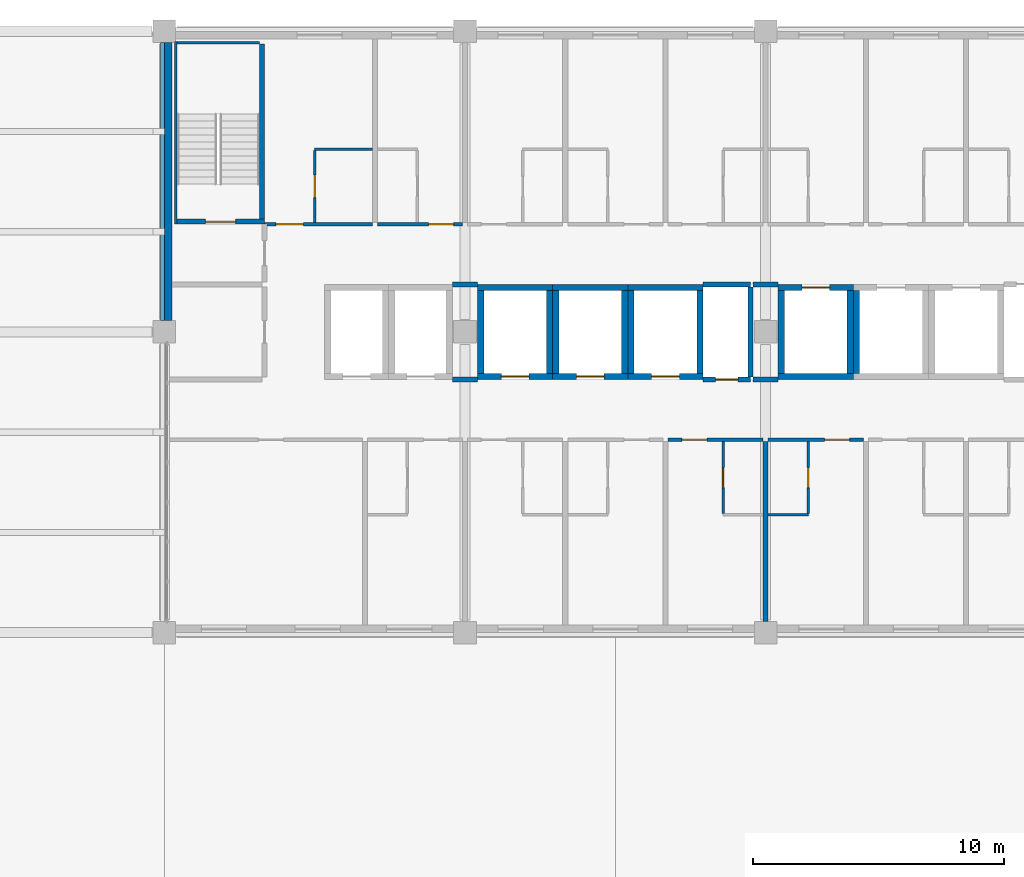
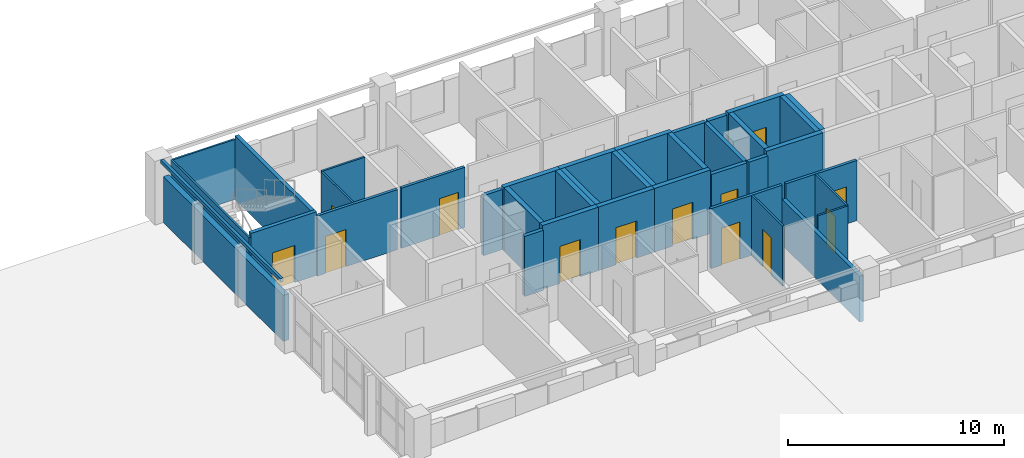
# One storey, part 88 of 94: 40 walls, 13 doors, 13 openings.
"""IFC4 building model written with IfcOpenShell, lengths in metres."""

from ifc_helpers import new_model, si_unit, direction, frame, frame_2d, origin, place, context, subcontext, project, spatial, rectangle, extrude, material, layer, layer_set, type_object, element, fill, save


model = new_model("IFC4")

# Units and contexts
model_context = context("Model", 3, precision=1e-05, world=origin(), true_north=direction((0.0, 1.0)))
body_context = subcontext(model_context, "Body", "Model", "MODEL_VIEW")
ifc_project = project(units=[si_unit("LENGTHUNIT", "METRE"), si_unit("AREAUNIT", "SQUARE_METRE"), si_unit("VOLUMEUNIT", "CUBIC_METRE"), si_unit("PLANEANGLEUNIT", "RADIAN"), si_unit("MASSUNIT", "GRAM", prefix="KILO")], contexts=[model_context])

# Site, building, storey
site_placement = place(None, origin())
site = spatial("IfcSite", under=ifc_project, at=site_placement, CompositionType="ELEMENT")
building_placement = place(site_placement, origin())
building = spatial("IfcBuilding", under=site, at=building_placement, Name="Lilac Gate Convention Centre", CompositionType="ELEMENT")
storey_placement = place(building_placement, frame((0.0, 0.0, 21.0)))
storey = spatial("IfcBuildingStorey", under=building, at=storey_placement, Name="L04", CompositionType="ELEMENT", Elevation=21.0)

# Walls
ifc_material_1 = material(Name="Concrete C60", Category="concrete")
ifc_layer_1 = layer(ifc_material_1, 0.10009765625)
ifc_layer_set_1 = layer_set([ifc_layer_1], Name="Concrete C60")
wall_type_1 = type_object("IfcWallType", Name="Core wall 100 C60", PredefinedType="SHEAR", material=ifc_layer_set_1)
wall_1_placement = place(storey_placement, frame((42.449951171875, 238.300048828125, 0.0), z_axis=(0.0, 0.0, 1.0), x_axis=(0.0, 1.0, 0.0)))
element("IfcWall", 1, at=wall_1_placement, inside=storey, type_object=wall_type_1, Name="CRW8 core wall TS-WX L04 1", PredefinedType="SHEAR", context=body_context, shape_type="SweptSolid", body=[
    extrude(rectangle(XDim=7.300048828125, YDim=0.10009765625, at=frame_2d((3.64990234375, 0.0))), origin(), (0.0, 0.0, 1.0), 3.39990234375),
])
wall_2_placement = place(storey_placement, frame((42.5, 245.550048828125, 0.0), z_axis=(0.0, 0.0, 1.0), x_axis=(1.0, 0.0, 0.0)))
element("IfcWall", 2, at=wall_2_placement, inside=storey, type_object=wall_type_1, Name="CRW8 core wall TS-WX L04 2", PredefinedType="SHEAR", context=body_context, shape_type="SweptSolid", body=[
    extrude(rectangle(XDim=3.300048828125, YDim=0.10009765625, at=frame_2d((1.64990234375, 0.0))), origin(), (0.0, 0.0, 1.0), 3.39990234375),
])

# Wall, opening, door
ifc_layer_2 = layer(ifc_material_1, 0.199951171875)
ifc_layer_set_2 = layer_set([ifc_layer_2], Name="Concrete C60")
wall_type_2 = type_object("IfcWallType", Name="Core wall 200 C60", PredefinedType="SHEAR", material=ifc_layer_set_2)
wall_3_placement = place(storey_placement, frame((42.5, 238.39990234375, 0.0), z_axis=(0.0, 0.0, 1.0), x_axis=(1.0, 0.0, 0.0)))
wall_3 = element("IfcWall", 3, at=wall_3_placement, inside=storey, type_object=wall_type_2, Name="CRW2 core wall TS-W L04 1", PredefinedType="SHEAR", context=body_context, shape_type="SweptSolid", body=[
    extrude(rectangle(XDim=3.5, YDim=0.199951171875, at=frame_2d((1.75, 0.0))), origin(), (0.0, 0.0, 1.0), 3.60009765625),
])
opening_1_placement = place(wall_3_placement, frame((1.14990234375, 0.0, 0.0)))
opening_1 = element("IfcOpeningElement", 4, at=opening_1_placement, cuts=wall_3, Name="Opening T04-055", PredefinedType="OPENING", context=body_context, shape_type="SweptSolid", body=[
    extrude(rectangle(XDim=1.199951171875, YDim=2.10009765625, at=frame_2d((0.60009765625, 1.050048828125))), frame((0.0, 0.10986328125, 0.0), z_axis=(0.0, -1.0, 0.0), x_axis=(1.0, 0.0, 0.0)), (0.0, 0.0, 1.0), 0.219970703125),
])
ifc_material_2 = material(Name="Steel Q235B", Category="steel")
door_type_1 = type_object("IfcDoorType", Name="Stair door 1200", OperationType="SINGLE_SWING_LEFT", PredefinedType="DOOR", material=ifc_material_2)
door_1_placement = place(opening_1_placement, origin())
door_1 = element("IfcDoor", 5, at=door_1_placement, inside=storey, type_object=door_type_1, Name="Stair door NW L04", OperationType="SINGLE_SWING_RIGHT", OverallHeight=2.10009765625, OverallWidth=1.199951171875, PredefinedType="DOOR", context=body_context, shape_type="SweptSolid", body=[
    extrude(rectangle(XDim=1.199951171875, YDim=2.10009765625, at=frame_2d((0.60009765625, 1.050048828125))), frame((0.0, 0.02490234375, 0.0), z_axis=(0.0, -1.0, 0.0), x_axis=(1.0, 0.0, 0.0)), (0.0, 0.0, 1.0), 0.050048828125),
])
fill(opening_1, door_1)

# Wall
wall_4_placement = place(storey_placement, frame((45.89990234375, 238.5, 0.0), z_axis=(0.0, 0.0, 1.0), x_axis=(0.0, 1.0, 0.0)))
element("IfcWall", 6, at=wall_4_placement, inside=storey, type_object=wall_type_2, Name="CRW2 core wall TS-W L04 2", PredefinedType="SHEAR", context=body_context, shape_type="SweptSolid", body=[
    extrude(rectangle(XDim=7.0, YDim=0.199951171875, at=frame_2d((3.5, 0.0))), origin(), (0.0, 0.0, 1.0), 3.60009765625),
])

# Wall, opening, door
ifc_layer_3 = layer(ifc_material_1, 0.25)
ifc_layer_set_3 = layer_set([ifc_layer_3], Name="Concrete C60")
wall_type_3 = type_object("IfcWallType", Name="Core wall 250 C60", PredefinedType="SHEAR", material=ifc_layer_set_3)
wall_5_placement = place(storey_placement, frame((54.5, 232.22509765625, 0.0), z_axis=(0.0, 0.0, 1.0), x_axis=(1.0, 0.0, 0.0)))
wall_5 = element("IfcWall", 7, at=wall_5_placement, inside=storey, type_object=wall_type_3, Name="CRW3 core wall TC L04 1", PredefinedType="SHEAR", context=body_context, shape_type="SweptSolid", body=[
    extrude(rectangle(XDim=3.0, YDim=0.25, at=frame_2d((1.5, 0.0))), origin(), (0.0, 0.0, 1.0), 3.60009765625),
])
opening_2_placement = place(wall_5_placement, frame((0.949951171875, 0.0, 0.0)))
opening_2 = element("IfcOpeningElement", 8, at=opening_2_placement, cuts=wall_5, Name="Opening T04-046", PredefinedType="OPENING", context=body_context, shape_type="SweptSolid", body=[
    extrude(rectangle(XDim=1.10009765625, YDim=2.10009765625, at=frame_2d((0.550048828125, 1.050048828125))), frame((0.0, 0.135009765625, 0.0), z_axis=(0.0, -1.0, 0.0), x_axis=(1.0, 0.0, 0.0)), (0.0, 0.0, 1.0), 0.27001953125),
])
ifc_material_3 = material(Name="Stainless steel 304", Category="steel")
door_type_2 = type_object("IfcDoorType", Name="Lift landing door 1100", OperationType="SLIDING_TO_LEFT", PredefinedType="DOOR", material=ifc_material_3)
door_2_placement = place(opening_2_placement, origin())
door_2 = element("IfcDoor", 9, at=door_2_placement, inside=storey, type_object=door_type_2, Name="Lift landing door TP1 L04", OperationType="SLIDING_TO_LEFT", OverallHeight=2.10009765625, OverallWidth=1.10009765625, PredefinedType="DOOR", context=body_context, shape_type="SweptSolid", body=[
    extrude(rectangle(XDim=1.10009765625, YDim=2.10009765625, at=frame_2d((0.550048828125, 1.050048828125))), frame((0.0, 0.02490234375, 0.0), z_axis=(0.0, -1.0, 0.0), x_axis=(1.0, 0.0, 0.0)), (0.0, 0.0, 1.0), 0.050048828125),
])
fill(opening_2, door_2)

# Walls
wall_6_placement = place(storey_placement, frame((54.5, 235.77490234375, 0.0), z_axis=(0.0, 0.0, 1.0), x_axis=(1.0, 0.0, 0.0)))
element("IfcWall", 10, at=wall_6_placement, inside=storey, type_object=wall_type_3, Name="CRW3 core wall TC L04 2", PredefinedType="SHEAR", context=body_context, shape_type="SweptSolid", body=[
    extrude(rectangle(XDim=3.0, YDim=0.25, at=frame_2d((1.5, 0.0))), origin(), (0.0, 0.0, 1.0), 3.60009765625),
])
for number, where, z_axis, x_axis, name in (
    (11, (54.625, 232.35009765625, 0.0), (0.0, 0.0, 1.0), (0.0, 1.0, 0.0), "CRW3 core wall TC L04 3"),
    (12, (57.375, 232.35009765625, 0.0), (0.0, 0.0, 1.0), (0.0, 1.0, 0.0), "CRW3 core wall TC L04 4"),
):
    element("IfcWall", number, at=place(storey_placement, frame(where, z_axis=z_axis, x_axis=x_axis)), inside=storey, type_object=wall_type_3, Name=name, PredefinedType="SHEAR", context=body_context, shape_type="SweptSolid", body=[
        extrude(rectangle(XDim=3.2998046875, YDim=0.25, at=frame_2d((1.64990234375, 0.0))), origin(), (0.0, 0.0, 1.0), 3.60009765625),
    ])

# Wall, opening, door
wall_7_placement = place(storey_placement, frame((57.5, 232.22509765625, 0.0), z_axis=(0.0, 0.0, 1.0), x_axis=(1.0, 0.0, 0.0)))
wall_7 = element("IfcWall", 13, at=wall_7_placement, inside=storey, type_object=wall_type_3, Name="CRW3 core wall TC L04 5", PredefinedType="SHEAR", context=body_context, shape_type="SweptSolid", body=[
    extrude(rectangle(XDim=3.0, YDim=0.25, at=frame_2d((1.5, 0.0))), origin(), (0.0, 0.0, 1.0), 3.60009765625),
])
opening_3_placement = place(wall_7_placement, frame((0.949951171875, 0.0, 0.0)))
opening_3 = element("IfcOpeningElement", 14, at=opening_3_placement, cuts=wall_7, Name="Opening T04-047", PredefinedType="OPENING", context=body_context, shape_type="SweptSolid", body=[
    extrude(rectangle(XDim=1.10009765625, YDim=2.10009765625, at=frame_2d((0.550048828125, 1.050048828125))), frame((0.0, 0.135009765625, 0.0), z_axis=(0.0, -1.0, 0.0), x_axis=(1.0, 0.0, 0.0)), (0.0, 0.0, 1.0), 0.27001953125),
])
door_3_placement = place(opening_3_placement, origin())
door_3 = element("IfcDoor", 15, at=door_3_placement, inside=storey, type_object=door_type_2, Name="Lift landing door TP2 L04", OperationType="SLIDING_TO_LEFT", OverallHeight=2.10009765625, OverallWidth=1.10009765625, PredefinedType="DOOR", context=body_context, shape_type="SweptSolid", body=[
    extrude(rectangle(XDim=1.10009765625, YDim=2.10009765625, at=frame_2d((0.550048828125, 1.050048828125))), frame((0.0, 0.02490234375, 0.0), z_axis=(0.0, -1.0, 0.0), x_axis=(1.0, 0.0, 0.0)), (0.0, 0.0, 1.0), 0.050048828125),
])
fill(opening_3, door_3)

# Walls
wall_8_placement = place(storey_placement, frame((57.5, 235.77490234375, 0.0), z_axis=(0.0, 0.0, 1.0), x_axis=(1.0, 0.0, 0.0)))
element("IfcWall", 16, at=wall_8_placement, inside=storey, type_object=wall_type_3, Name="CRW3 core wall TC L04 6", PredefinedType="SHEAR", context=body_context, shape_type="SweptSolid", body=[
    extrude(rectangle(XDim=3.0, YDim=0.25, at=frame_2d((1.5, 0.0))), origin(), (0.0, 0.0, 1.0), 3.60009765625),
])
for number, where, z_axis, x_axis, name in (
    (17, (57.625, 232.35009765625, 0.0), (0.0, 0.0, 1.0), (0.0, 1.0, 0.0), "CRW3 core wall TC L04 7"),
    (18, (60.375, 232.35009765625, 0.0), (0.0, 0.0, 1.0), (0.0, 1.0, 0.0), "CRW3 core wall TC L04 8"),
):
    element("IfcWall", number, at=place(storey_placement, frame(where, z_axis=z_axis, x_axis=x_axis)), inside=storey, type_object=wall_type_3, Name=name, PredefinedType="SHEAR", context=body_context, shape_type="SweptSolid", body=[
        extrude(rectangle(XDim=3.2998046875, YDim=0.25, at=frame_2d((1.64990234375, 0.0))), origin(), (0.0, 0.0, 1.0), 3.60009765625),
    ])

# Wall, opening, door
wall_9_placement = place(storey_placement, frame((60.5, 232.22509765625, 0.0), z_axis=(0.0, 0.0, 1.0), x_axis=(1.0, 0.0, 0.0)))
wall_9 = element("IfcWall", 19, at=wall_9_placement, inside=storey, type_object=wall_type_3, Name="CRW3 core wall TC L04 9", PredefinedType="SHEAR", context=body_context, shape_type="SweptSolid", body=[
    extrude(rectangle(XDim=3.0, YDim=0.25, at=frame_2d((1.5, 0.0))), origin(), (0.0, 0.0, 1.0), 3.60009765625),
])
opening_4_placement = place(wall_9_placement, frame((0.949951171875, 0.0, 0.0)))
opening_4 = element("IfcOpeningElement", 20, at=opening_4_placement, cuts=wall_9, Name="Opening T04-048", PredefinedType="OPENING", context=body_context, shape_type="SweptSolid", body=[
    extrude(rectangle(XDim=1.10009765625, YDim=2.10009765625, at=frame_2d((0.550048828125, 1.050048828125))), frame((0.0, 0.135009765625, 0.0), z_axis=(0.0, -1.0, 0.0), x_axis=(1.0, 0.0, 0.0)), (0.0, 0.0, 1.0), 0.27001953125),
])
door_4_placement = place(opening_4_placement, origin())
door_4 = element("IfcDoor", 21, at=door_4_placement, inside=storey, type_object=door_type_2, Name="Lift landing door TP3 L04", OperationType="SLIDING_TO_LEFT", OverallHeight=2.10009765625, OverallWidth=1.10009765625, PredefinedType="DOOR", context=body_context, shape_type="SweptSolid", body=[
    extrude(rectangle(XDim=1.10009765625, YDim=2.10009765625, at=frame_2d((0.550048828125, 1.050048828125))), frame((0.0, 0.02490234375, 0.0), z_axis=(0.0, -1.0, 0.0), x_axis=(1.0, 0.0, 0.0)), (0.0, 0.0, 1.0), 0.050048828125),
])
fill(opening_4, door_4)

# Walls
wall_10_placement = place(storey_placement, frame((60.5, 235.77490234375, 0.0), z_axis=(0.0, 0.0, 1.0), x_axis=(1.0, 0.0, 0.0)))
element("IfcWall", 22, at=wall_10_placement, inside=storey, type_object=wall_type_3, Name="CRW3 core wall TC L04 10", PredefinedType="SHEAR", context=body_context, shape_type="SweptSolid", body=[
    extrude(rectangle(XDim=3.0, YDim=0.25, at=frame_2d((1.5, 0.0))), origin(), (0.0, 0.0, 1.0), 3.60009765625),
])
for number, where, z_axis, x_axis, name in (
    (23, (60.625, 232.35009765625, 0.0), (0.0, 0.0, 1.0), (0.0, 1.0, 0.0), "CRW3 core wall TC L04 11"),
    (24, (63.375, 232.35009765625, 0.0), (0.0, 0.0, 1.0), (0.0, 1.0, 0.0), "CRW3 core wall TC L04 12"),
):
    element("IfcWall", number, at=place(storey_placement, frame(where, z_axis=z_axis, x_axis=x_axis)), inside=storey, type_object=wall_type_3, Name=name, PredefinedType="SHEAR", context=body_context, shape_type="SweptSolid", body=[
        extrude(rectangle(XDim=3.2998046875, YDim=0.25, at=frame_2d((1.64990234375, 0.0))), origin(), (0.0, 0.0, 1.0), 3.60009765625),
    ])
wall_11_placement = place(storey_placement, frame((66.5, 232.22509765625, 0.0), z_axis=(0.0, 0.0, 1.0), x_axis=(1.0, 0.0, 0.0)))
element("IfcWall", 25, at=wall_11_placement, inside=storey, type_object=wall_type_3, Name="CRW3 core wall TC L04 13", PredefinedType="SHEAR", context=body_context, shape_type="SweptSolid", body=[
    extrude(rectangle(XDim=3.0, YDim=0.25, at=frame_2d((1.5, 0.0))), origin(), (0.0, 0.0, 1.0), 3.60009765625),
])

# Wall, opening, door
wall_12_placement = place(storey_placement, frame((66.5, 235.77490234375, 0.0), z_axis=(0.0, 0.0, 1.0), x_axis=(1.0, 0.0, 0.0)))
wall_12 = element("IfcWall", 26, at=wall_12_placement, inside=storey, type_object=wall_type_3, Name="CRW3 core wall TC L04 14", PredefinedType="SHEAR", context=body_context, shape_type="SweptSolid", body=[
    extrude(rectangle(XDim=3.0, YDim=0.25, at=frame_2d((1.5, 0.0))), origin(), (0.0, 0.0, 1.0), 3.60009765625),
])
opening_5_placement = place(wall_12_placement, frame((0.949951171875, 0.0, 0.0)))
opening_5 = element("IfcOpeningElement", 27, at=opening_5_placement, cuts=wall_12, Name="Opening T04-049", PredefinedType="OPENING", context=body_context, shape_type="SweptSolid", body=[
    extrude(rectangle(XDim=1.10009765625, YDim=2.10009765625, at=frame_2d((0.550048828125, 1.050048828125))), frame((0.0, 0.135009765625, 0.0), z_axis=(0.0, -1.0, 0.0), x_axis=(1.0, 0.0, 0.0)), (0.0, 0.0, 1.0), 0.27001953125),
])
door_5_placement = place(opening_5_placement, origin())
door_5 = element("IfcDoor", 28, at=door_5_placement, inside=storey, type_object=door_type_2, Name="Lift landing door TP4 L04", OperationType="SLIDING_TO_LEFT", OverallHeight=2.10009765625, OverallWidth=1.10009765625, PredefinedType="DOOR", context=body_context, shape_type="SweptSolid", body=[
    extrude(rectangle(XDim=1.10009765625, YDim=2.10009765625, at=frame_2d((0.550048828125, 1.050048828125))), frame((0.0, 0.02490234375, 0.0), z_axis=(0.0, -1.0, 0.0), x_axis=(1.0, 0.0, 0.0)), (0.0, 0.0, 1.0), 0.050048828125),
])
fill(opening_5, door_5)

# Walls
for number, where, z_axis, x_axis, name in (
    (29, (66.625, 232.35009765625, 0.0), (0.0, 0.0, 1.0), (0.0, 1.0, 0.0), "CRW3 core wall TC L04 15"),
    (30, (69.375, 232.35009765625, 0.0), (0.0, 0.0, 1.0), (0.0, 1.0, 0.0), "CRW3 core wall TC L04 16"),
    (31, (69.625, 232.35009765625, 0.0), (0.0, 0.0, 1.0), (0.0, 1.0, 0.0), "CRW3 core wall TC L04 19"),
):
    element("IfcWall", number, at=place(storey_placement, frame(where, z_axis=z_axis, x_axis=x_axis)), inside=storey, type_object=wall_type_3, Name=name, PredefinedType="SHEAR", context=body_context, shape_type="SweptSolid", body=[
        extrude(rectangle(XDim=3.2998046875, YDim=0.25, at=frame_2d((1.64990234375, 0.0))), origin(), (0.0, 0.0, 1.0), 3.60009765625),
    ])

# Wall, opening, door
ifc_material_4 = material(Name="Gypsum board on steel stud", Category="steel")
ifc_layer_4 = layer(ifc_material_4, 0.14990234375)
ifc_layer_set_4 = layer_set([ifc_layer_4], Name="Gypsum board on steel stud")
wall_type_4 = type_object("IfcWallType", Name="Corridor wall 150", PredefinedType="PARTITIONING", material=ifc_layer_set_4)
wall_13_placement = place(storey_placement, frame((65.89990234375, 229.699951171875, 0.0), z_axis=(0.0, 0.0, 1.0), x_axis=(-1.0, 0.0, 0.0)))
wall_13 = element("IfcWall", 32, at=wall_13_placement, inside=storey, type_object=wall_type_4, Name="Corridor wall 150 front 0405", PredefinedType="PARTITIONING", context=body_context, shape_type="SweptSolid", body=[
    extrude(rectangle(XDim=3.7998046875, YDim=0.14990234375, at=frame_2d((1.89990234375, 0.0))), origin(), (0.0, 0.0, 1.0), 3.39990234375),
])
opening_6_placement = place(wall_13_placement, frame((2.25, 0.0, 0.0)))
opening_6 = element("IfcOpeningElement", 33, at=opening_6_placement, cuts=wall_13, Name="Opening T04-015", PredefinedType="OPENING", context=body_context, shape_type="SweptSolid", body=[
    extrude(rectangle(XDim=1.0, YDim=2.10009765625, at=frame_2d((0.5, 1.050048828125))), frame((0.0, 0.0849609375, 0.0), z_axis=(0.0, -1.0, 0.0), x_axis=(1.0, 0.0, 0.0)), (0.0, 0.0, 1.0), 0.169921875),
])
ifc_material_5 = material(Name="Timber", Category="wood")
door_type_3 = type_object("IfcDoorType", Name="Guest room entrance door 1000", OperationType="SINGLE_SWING_LEFT", PredefinedType="DOOR", material=ifc_material_5)
door_6_placement = place(opening_6_placement, origin())
door_6 = element("IfcDoor", 34, at=door_6_placement, inside=storey, type_object=door_type_3, Name="Guest room door 0405", OperationType="SINGLE_SWING_LEFT", OverallHeight=2.10009765625, OverallWidth=1.0, PredefinedType="DOOR", context=body_context, shape_type="SweptSolid", body=[
    extrude(rectangle(XDim=1.0, YDim=2.10009765625, at=frame_2d((0.5, 1.050048828125))), frame((0.0, 0.02490234375, 0.0), z_axis=(0.0, -1.0, 0.0), x_axis=(1.0, 0.0, 0.0)), (0.0, 0.0, 1.0), 0.050048828125),
])
fill(opening_6, door_6)

wall_14_placement = place(storey_placement, frame((69.89990234375, 229.699951171875, 0.0), z_axis=(0.0, 0.0, 1.0), x_axis=(-1.0, 0.0, 0.0)))
wall_14 = element("IfcWall", 35, at=wall_14_placement, inside=storey, type_object=wall_type_4, Name="Corridor wall 150 front 0406", PredefinedType="PARTITIONING", context=body_context, shape_type="SweptSolid", body=[
    extrude(rectangle(XDim=3.7998046875, YDim=0.14990234375, at=frame_2d((1.89990234375, 0.0))), origin(), (0.0, 0.0, 1.0), 3.39990234375),
])
opening_7_placement = place(wall_14_placement, frame((0.550048828125, 0.0, 0.0)))
opening_7 = element("IfcOpeningElement", 36, at=opening_7_placement, cuts=wall_14, Name="Opening T04-017", PredefinedType="OPENING", context=body_context, shape_type="SweptSolid", body=[
    extrude(rectangle(XDim=1.0, YDim=2.10009765625, at=frame_2d((0.5, 1.050048828125))), frame((0.0, 0.0849609375, 0.0), z_axis=(0.0, -1.0, 0.0), x_axis=(1.0, 0.0, 0.0)), (0.0, 0.0, 1.0), 0.169921875),
])
door_7_placement = place(opening_7_placement, origin())
door_7 = element("IfcDoor", 37, at=door_7_placement, inside=storey, type_object=door_type_3, Name="Guest room door 0406", OperationType="SINGLE_SWING_LEFT", OverallHeight=2.10009765625, OverallWidth=1.0, PredefinedType="DOOR", context=body_context, shape_type="SweptSolid", body=[
    extrude(rectangle(XDim=1.0, YDim=2.10009765625, at=frame_2d((0.5, 1.050048828125))), frame((0.0, 0.02490234375, 0.0), z_axis=(0.0, -1.0, 0.0), x_axis=(1.0, 0.0, 0.0)), (0.0, 0.0, 1.0), 0.050048828125),
])
fill(opening_7, door_7)

wall_15_placement = place(storey_placement, frame((46.0, 238.300048828125, 0.0), z_axis=(0.0, 0.0, 1.0), x_axis=(1.0, 0.0, 0.0)))
wall_15 = element("IfcWall", 38, at=wall_15_placement, inside=storey, type_object=wall_type_4, Name="Corridor wall 150 front 0411", PredefinedType="PARTITIONING", context=body_context, shape_type="SweptSolid", body=[
    extrude(rectangle(XDim=4.300048828125, YDim=0.14990234375, at=frame_2d((2.14990234375, 0.0))), origin(), (0.0, 0.0, 1.0), 3.39990234375),
])
opening_8_placement = place(wall_15_placement, frame((0.449951171875, 0.0, 0.0)))
opening_8 = element("IfcOpeningElement", 39, at=opening_8_placement, cuts=wall_15, Name="Opening T04-027", PredefinedType="OPENING", context=body_context, shape_type="SweptSolid", body=[
    extrude(rectangle(XDim=1.10009765625, YDim=2.10009765625, at=frame_2d((0.550048828125, 1.050048828125))), frame((0.0, 0.0849609375, 0.0), z_axis=(0.0, -1.0, 0.0), x_axis=(1.0, 0.0, 0.0)), (0.0, 0.0, 1.0), 0.169921875),
])
door_type_4 = type_object("IfcDoorType", Name="Accessible entrance door 1100", OperationType="SINGLE_SWING_LEFT", PredefinedType="DOOR", material=ifc_material_5)
door_8_placement = place(opening_8_placement, origin())
door_8 = element("IfcDoor", 40, at=door_8_placement, inside=storey, type_object=door_type_4, Name="Guest room door 0411", OperationType="SINGLE_SWING_LEFT", OverallHeight=2.10009765625, OverallWidth=1.10009765625, PredefinedType="DOOR", context=body_context, shape_type="SweptSolid", body=[
    extrude(rectangle(XDim=1.10009765625, YDim=2.10009765625, at=frame_2d((0.550048828125, 1.050048828125))), frame((0.0, 0.02490234375, 0.0), z_axis=(0.0, -1.0, 0.0), x_axis=(1.0, 0.0, 0.0)), (0.0, 0.0, 1.0), 0.050048828125),
])
fill(opening_8, door_8)

wall_16_placement = place(storey_placement, frame((50.5, 238.300048828125, 0.0), z_axis=(0.0, 0.0, 1.0), x_axis=(1.0, 0.0, 0.0)))
wall_16 = element("IfcWall", 41, at=wall_16_placement, inside=storey, type_object=wall_type_4, Name="Corridor wall 150 front 0412", PredefinedType="PARTITIONING", context=body_context, shape_type="SweptSolid", body=[
    extrude(rectangle(XDim=3.39990234375, YDim=0.14990234375, at=frame_2d((1.699951171875, 0.0))), origin(), (0.0, 0.0, 1.0), 3.39990234375),
])
opening_9_placement = place(wall_16_placement, frame((2.050048828125, 0.0, 0.0)))
opening_9 = element("IfcOpeningElement", 42, at=opening_9_placement, cuts=wall_16, Name="Opening T04-029", PredefinedType="OPENING", context=body_context, shape_type="SweptSolid", body=[
    extrude(rectangle(XDim=1.0, YDim=2.10009765625, at=frame_2d((0.5, 1.050048828125))), frame((0.0, 0.0849609375, 0.0), z_axis=(0.0, -1.0, 0.0), x_axis=(1.0, 0.0, 0.0)), (0.0, 0.0, 1.0), 0.169921875),
])
door_9_placement = place(opening_9_placement, origin())
door_9 = element("IfcDoor", 43, at=door_9_placement, inside=storey, type_object=door_type_3, Name="Guest room door 0412", OperationType="SINGLE_SWING_RIGHT", OverallHeight=2.10009765625, OverallWidth=1.0, PredefinedType="DOOR", context=body_context, shape_type="SweptSolid", body=[
    extrude(rectangle(XDim=1.0, YDim=2.10009765625, at=frame_2d((0.5, 1.050048828125))), frame((0.0, 0.02490234375, 0.0), z_axis=(0.0, -1.0, 0.0), x_axis=(1.0, 0.0, 0.0)), (0.0, 0.0, 1.0), 0.050048828125),
])
fill(opening_9, door_9)

ifc_layer_5 = layer(ifc_material_4, 0.10009765625)
ifc_layer_set_5 = layer_set([ifc_layer_5], Name="Gypsum board on steel stud")
wall_type_5 = type_object("IfcWallType", Name="En-suite wall 100", PredefinedType="PARTITIONING", material=ifc_layer_set_5)
wall_17_placement = place(storey_placement, frame((64.300048828125, 226.75, 0.0), z_axis=(0.0, 0.0, 1.0), x_axis=(0.0, 1.0, 0.0)))
wall_17 = element("IfcWall", 44, at=wall_17_placement, inside=storey, type_object=wall_type_5, Name="En-suite wall 100 bath side 0405", PredefinedType="PARTITIONING", context=body_context, shape_type="SweptSolid", body=[
    extrude(rectangle(XDim=2.875, YDim=0.10009765625, at=frame_2d((1.4375, 0.0))), origin(), (0.0, 0.0, 1.0), 3.39990234375),
])
opening_10_placement = place(wall_17_placement, frame((1.03759765625, 0.0, 0.0)))
opening_10 = element("IfcOpeningElement", 45, at=opening_10_placement, cuts=wall_17, Name="Opening T04-016", PredefinedType="OPENING", context=body_context, shape_type="SweptSolid", body=[
    extrude(rectangle(XDim=0.800048828125, YDim=2.10009765625, at=frame_2d((0.39990234375, 1.050048828125))), frame((0.0, 0.06005859375, 0.0), z_axis=(0.0, -1.0, 0.0), x_axis=(1.0, 0.0, 0.0)), (0.0, 0.0, 1.0), 0.1201171875),
])
door_type_5 = type_object("IfcDoorType", Name="En-suite door 800", OperationType="SINGLE_SWING_LEFT", PredefinedType="DOOR", material=ifc_material_5)
door_10_placement = place(opening_10_placement, origin())
door_10 = element("IfcDoor", 46, at=door_10_placement, inside=storey, type_object=door_type_5, Name="En-suite door 0405", OperationType="SINGLE_SWING_RIGHT", OverallHeight=2.10009765625, OverallWidth=0.800048828125, PredefinedType="DOOR", context=body_context, shape_type="SweptSolid", body=[
    extrude(rectangle(XDim=0.800048828125, YDim=2.10009765625, at=frame_2d((0.39990234375, 1.050048828125))), frame((0.0, 0.02490234375, 0.0), z_axis=(0.0, -1.0, 0.0), x_axis=(1.0, 0.0, 0.0)), (0.0, 0.0, 1.0), 0.050048828125),
])
fill(opening_10, door_10)

# Wall
wall_18_placement = place(storey_placement, frame((66.10009765625, 226.699951171875, 0.0), z_axis=(0.0, 0.0, 1.0), x_axis=(1.0, 0.0, 0.0)))
element("IfcWall", 47, at=wall_18_placement, inside=storey, type_object=wall_type_5, Name="En-suite wall 100 bath 0406", PredefinedType="PARTITIONING", context=body_context, shape_type="SweptSolid", body=[
    extrude(rectangle(XDim=1.599853515625, YDim=0.10009765625, at=frame_2d((0.7998046875, 0.0))), origin(), (0.0, 0.0, 1.0), 3.39990234375),
])

# Wall, opening, door
wall_19_placement = place(storey_placement, frame((67.699951171875, 229.625, 0.0), z_axis=(0.0, 0.0, 1.0), x_axis=(0.0, -1.0, 0.0)))
wall_19 = element("IfcWall", 48, at=wall_19_placement, inside=storey, type_object=wall_type_5, Name="En-suite wall 100 bath side 0406", PredefinedType="PARTITIONING", context=body_context, shape_type="SweptSolid", body=[
    extrude(rectangle(XDim=2.875, YDim=0.10009765625, at=frame_2d((1.4375, 0.0))), origin(), (0.0, 0.0, 1.0), 3.39990234375),
])
opening_11_placement = place(wall_19_placement, frame((1.03759765625, 0.0, 0.0)))
opening_11 = element("IfcOpeningElement", 49, at=opening_11_placement, cuts=wall_19, Name="Opening T04-018", PredefinedType="OPENING", context=body_context, shape_type="SweptSolid", body=[
    extrude(rectangle(XDim=0.800048828125, YDim=2.10009765625, at=frame_2d((0.39990234375, 1.050048828125))), frame((0.0, 0.06005859375, 0.0), z_axis=(0.0, -1.0, 0.0), x_axis=(1.0, 0.0, 0.0)), (0.0, 0.0, 1.0), 0.1201171875),
])
door_11_placement = place(opening_11_placement, origin())
door_11 = element("IfcDoor", 50, at=door_11_placement, inside=storey, type_object=door_type_5, Name="En-suite door 0406", OperationType="SINGLE_SWING_LEFT", OverallHeight=2.10009765625, OverallWidth=0.800048828125, PredefinedType="DOOR", context=body_context, shape_type="SweptSolid", body=[
    extrude(rectangle(XDim=0.800048828125, YDim=2.10009765625, at=frame_2d((0.39990234375, 1.050048828125))), frame((0.0, 0.02490234375, 0.0), z_axis=(0.0, -1.0, 0.0), x_axis=(1.0, 0.0, 0.0)), (0.0, 0.0, 1.0), 0.050048828125),
])
fill(opening_11, door_11)

# Wall
wall_20_placement = place(storey_placement, frame((48.0, 241.300048828125, 0.0), z_axis=(0.0, 0.0, 1.0), x_axis=(1.0, 0.0, 0.0)))
element("IfcWall", 51, at=wall_20_placement, inside=storey, type_object=wall_type_5, Name="En-suite wall 100 bath 0411", PredefinedType="PARTITIONING", context=body_context, shape_type="SweptSolid", body=[
    extrude(rectangle(XDim=2.300048828125, YDim=0.10009765625, at=frame_2d((1.14990234375, 0.0))), origin(), (0.0, 0.0, 1.0), 3.39990234375),
])

# Wall, opening, door
wall_21_placement = place(storey_placement, frame((48.0, 238.375, 0.0), z_axis=(0.0, 0.0, 1.0), x_axis=(0.0, 1.0, 0.0)))
wall_21 = element("IfcWall", 52, at=wall_21_placement, inside=storey, type_object=wall_type_5, Name="En-suite wall 100 bath side 0411", PredefinedType="PARTITIONING", context=body_context, shape_type="SweptSolid", body=[
    extrude(rectangle(XDim=2.875, YDim=0.10009765625, at=frame_2d((1.4375, 0.0))), origin(), (0.0, 0.0, 1.0), 3.39990234375),
])
opening_12_placement = place(wall_21_placement, frame((0.987548828125, 0.0, 0.0)))
opening_12 = element("IfcOpeningElement", 53, at=opening_12_placement, cuts=wall_21, Name="Opening T04-028", PredefinedType="OPENING", context=body_context, shape_type="SweptSolid", body=[
    extrude(rectangle(XDim=0.89990234375, YDim=2.10009765625, at=frame_2d((0.449951171875, 1.050048828125))), frame((0.0, 0.06005859375, 0.0), z_axis=(0.0, -1.0, 0.0), x_axis=(1.0, 0.0, 0.0)), (0.0, 0.0, 1.0), 0.1201171875),
])
door_type_6 = type_object("IfcDoorType", Name="Accessible en-suite door 900", OperationType="SINGLE_SWING_LEFT", PredefinedType="DOOR", material=ifc_material_5)
door_12_placement = place(opening_12_placement, origin())
door_12 = element("IfcDoor", 54, at=door_12_placement, inside=storey, type_object=door_type_6, Name="En-suite door 0411", OperationType="SINGLE_SWING_LEFT", OverallHeight=2.10009765625, OverallWidth=0.89990234375, PredefinedType="DOOR", context=body_context, shape_type="SweptSolid", body=[
    extrude(rectangle(XDim=0.89990234375, YDim=2.10009765625, at=frame_2d((0.449951171875, 1.050048828125))), frame((0.0, 0.02490234375, 0.0), z_axis=(0.0, -1.0, 0.0), x_axis=(1.0, 0.0, 0.0)), (0.0, 0.0, 1.0), 0.050048828125),
])
fill(opening_12, door_12)

# Walls
ifc_layer_6 = layer(ifc_material_4, 0.199951171875)
ifc_layer_set_6 = layer_set([ifc_layer_6], Name="Gypsum board on steel stud")
wall_type_6 = type_object("IfcWallType", Name="Guest room party wall 200", PredefinedType="PARTITIONING", material=ifc_layer_set_6)
wall_22_placement = place(storey_placement, frame((66.0, 222.449951171875, 0.0), z_axis=(0.0, 0.0, 1.0), x_axis=(0.0, 1.0, 0.0)))
element("IfcWall", 55, at=wall_22_placement, inside=storey, type_object=wall_type_6, Name="Guest room party wall 200 party 66.0", PredefinedType="PARTITIONING", context=body_context, shape_type="SweptSolid", body=[
    extrude(rectangle(XDim=7.175048828125, YDim=0.199951171875, at=frame_2d((3.58740234375, 0.0))), origin(), (0.0, 0.0, 1.0), 2.60009765625),
])
ifc_material_6 = material(Name="Concrete C40 precast", Category="concrete")
ifc_layer_7 = layer(ifc_material_6, 0.1298828125)
ifc_material_7 = material(Name="Ochre mineral render")
ifc_layer_8 = layer(ifc_material_7, 0.02001953125)
ifc_layer_set_7 = layer_set([ifc_layer_7, ifc_layer_8], Name="Concrete C40 precast, Ochre mineral render")
wall_type_7 = type_object("IfcWallType", Name="Precast band ochre 150", PredefinedType="STANDARD", material=ifc_layer_set_7)
wall_23_placement = place(storey_placement, frame((41.925048828125, 245.550048828125, 3.39990234375), z_axis=(0.0, 0.0, 1.0), x_axis=(0.0, -1.0, 0.0)))
element("IfcWall", 56, at=wall_23_placement, inside=storey, type_object=wall_type_7, Name="Precast band W L04 1", PredefinedType="STANDARD", context=body_context, shape_type="SweptSolid", body=[
    extrude(rectangle(XDim=11.10009765625, YDim=0.14990234375, at=frame_2d((5.550048828125, 0.0))), origin(), (0.0, 0.0, 1.0), 0.2001953125),
])
ifc_layer_9 = layer(ifc_material_7, 0.02001953125)
ifc_layer_10 = layer(ifc_material_6, 0.06005859375)
ifc_material_8 = material(Name="Ventilated air cavity")
ifc_layer_11 = layer(ifc_material_8, 0.030029296875)
ifc_material_9 = material(Name="Mineral wool insulation")
ifc_layer_12 = layer(ifc_material_9, 0.1201171875)
ifc_material_10 = material(Name="Steel stud Q345 and gypsum lining", Category="steel")
ifc_layer_13 = layer(ifc_material_10, 0.070068359375)
ifc_layer_set_8 = layer_set([ifc_layer_9, ifc_layer_10, ifc_layer_11, ifc_layer_12, ifc_layer_13], Name="Ochre mineral render, Concrete C40 precast, Ventilated air cavity, Mineral wool insulation, Steel stud Q345 and gypsum lining")
wall_type_8 = type_object("IfcWallType", Name="Precast panel wall ochre 300", PredefinedType="STANDARD", material=ifc_layer_set_8)
wall_24_placement = place(storey_placement, frame((42.14990234375, 245.550048828125, 0.0), z_axis=(0.0, 0.0, 1.0), x_axis=(0.0, -1.0, 0.0)))
element("IfcWall", 57, at=wall_24_placement, inside=storey, type_object=wall_type_8, Name="External wall W L04 1", PredefinedType="STANDARD", context=body_context, shape_type="SweptSolid", body=[
    extrude(rectangle(XDim=11.10009765625, YDim=0.300048828125, at=frame_2d((5.550048828125, 0.0))), origin(), (0.0, 0.0, 1.0), 2.60009765625),
])
ifc_layer_14 = layer(ifc_material_4, 0.199951171875)
ifc_layer_set_9 = layer_set([ifc_layer_14], Name="Gypsum board on steel stud")
wall_type_9 = type_object("IfcWallType", Name="Riser and store wall 200", PredefinedType="PARTITIONING", material=ifc_layer_set_9)
wall_25_placement = place(storey_placement, frame((53.5, 232.10009765625, 0.0), z_axis=(0.0, 0.0, 1.0), x_axis=(1.0, 0.0, 0.0)))
element("IfcWall", 58, at=wall_25_placement, inside=storey, type_object=wall_type_9, Name="Riser and store wall 200 NICHE1-S", PredefinedType="PARTITIONING", context=body_context, shape_type="SweptSolid", body=[
    extrude(rectangle(XDim=1.0, YDim=0.199951171875, at=frame_2d((0.5, 0.0))), origin(), (0.0, 0.0, 1.0), 3.39990234375),
])

# Wall, opening, door
wall_26_placement = place(storey_placement, frame((63.5, 232.10009765625, 0.0), z_axis=(0.0, 0.0, 1.0), x_axis=(1.0, 0.0, 0.0)))
wall_26 = element("IfcWall", 59, at=wall_26_placement, inside=storey, type_object=wall_type_9, Name="Riser and store wall 200 RS1-S", PredefinedType="PARTITIONING", context=body_context, shape_type="SweptSolid", body=[
    extrude(rectangle(XDim=1.89990234375, YDim=0.199951171875, at=frame_2d((0.949951171875, 0.0))), origin(), (0.0, 0.0, 1.0), 3.39990234375),
])
opening_13_placement = place(wall_26_placement, frame((0.5, 0.0, 0.0)))
opening_13 = element("IfcOpeningElement", 60, at=opening_13_placement, cuts=wall_26, Name="Opening T04-002", PredefinedType="OPENING", context=body_context, shape_type="SweptSolid", body=[
    extrude(rectangle(XDim=0.89990234375, YDim=2.10009765625, at=frame_2d((0.449951171875, 1.050048828125))), frame((0.0, 0.10986328125, 0.0), z_axis=(0.0, -1.0, 0.0), x_axis=(1.0, 0.0, 0.0)), (0.0, 0.0, 1.0), 0.219970703125),
])
door_type_7 = type_object("IfcDoorType", Name="Riser and store door 900", OperationType="SINGLE_SWING_LEFT", PredefinedType="DOOR", material=ifc_material_2)
door_13_placement = place(opening_13_placement, origin())
door_13 = element("IfcDoor", 61, at=door_13_placement, inside=storey, type_object=door_type_7, Name="Riser room door", OperationType="SINGLE_SWING_RIGHT", OverallHeight=2.10009765625, OverallWidth=0.89990234375, PredefinedType="DOOR", context=body_context, shape_type="SweptSolid", body=[
    extrude(rectangle(XDim=0.89990234375, YDim=2.10009765625, at=frame_2d((0.449951171875, 1.050048828125))), frame((0.0, 0.02490234375, 0.0), z_axis=(0.0, -1.0, 0.0), x_axis=(1.0, 0.0, 0.0)), (0.0, 0.0, 1.0), 0.050048828125),
])
fill(opening_13, door_13)

# Walls
for number, where, z_axis, x_axis, name in (
    (62, (65.5, 232.10009765625, 0.0), (0.0, 0.0, 1.0), (1.0, 0.0, 0.0), "Riser and store wall 200 NICHE2-S"),
    (63, (53.5, 235.89990234375, 0.0), (0.0, 0.0, 1.0), (1.0, 0.0, 0.0), "Riser and store wall 200 NICHE1-N"),
):
    element("IfcWall", number, at=place(storey_placement, frame(where, z_axis=z_axis, x_axis=x_axis)), inside=storey, type_object=wall_type_9, Name=name, PredefinedType="PARTITIONING", context=body_context, shape_type="SweptSolid", body=[
        extrude(rectangle(XDim=1.0, YDim=0.199951171875, at=frame_2d((0.5, 0.0))), origin(), (0.0, 0.0, 1.0), 3.39990234375),
    ])
wall_27_placement = place(storey_placement, frame((63.5, 235.89990234375, 0.0), z_axis=(0.0, 0.0, 1.0), x_axis=(1.0, 0.0, 0.0)))
element("IfcWall", 64, at=wall_27_placement, inside=storey, type_object=wall_type_9, Name="Riser and store wall 200 RS1-N", PredefinedType="PARTITIONING", context=body_context, shape_type="SweptSolid", body=[
    extrude(rectangle(XDim=1.89990234375, YDim=0.199951171875, at=frame_2d((0.949951171875, 0.0))), origin(), (0.0, 0.0, 1.0), 3.39990234375),
])
wall_28_placement = place(storey_placement, frame((65.5, 235.89990234375, 0.0), z_axis=(0.0, 0.0, 1.0), x_axis=(1.0, 0.0, 0.0)))
element("IfcWall", 65, at=wall_28_placement, inside=storey, type_object=wall_type_9, Name="Riser and store wall 200 NICHE2-N", PredefinedType="PARTITIONING", context=body_context, shape_type="SweptSolid", body=[
    extrude(rectangle(XDim=1.0, YDim=0.199951171875, at=frame_2d((0.5, 0.0))), origin(), (0.0, 0.0, 1.0), 3.39990234375),
])
wall_29_placement = place(storey_placement, frame((65.39990234375, 232.199951171875, 0.0), z_axis=(0.0, 0.0, 1.0), x_axis=(0.0, 1.0, 0.0)))
element("IfcWall", 66, at=wall_29_placement, inside=storey, type_object=wall_type_9, Name="Riser and store wall 200 RS1-E", PredefinedType="PARTITIONING", context=body_context, shape_type="SweptSolid", body=[
    extrude(rectangle(XDim=3.60009765625, YDim=0.199951171875, at=frame_2d((1.800048828125, 0.0))), origin(), (0.0, 0.0, 1.0), 3.39990234375),
])

save(model, "model.ifc")
